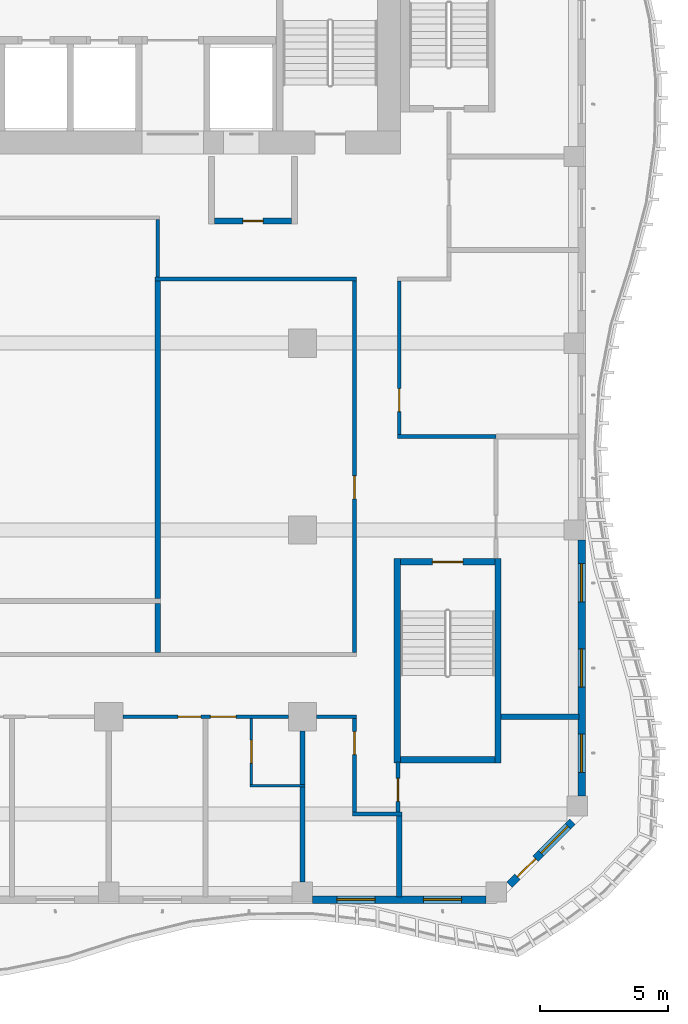
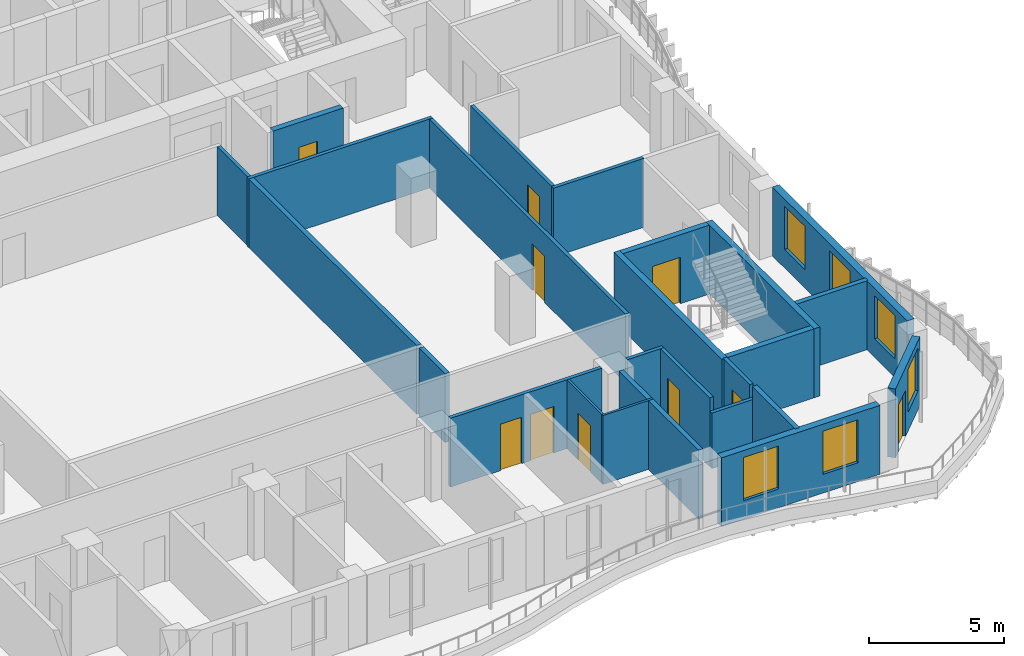
# One storey, part 5 of 23: 26 walls, 10 doors, 6 windows, 16 openings.
"""IFC4 building model written with IfcOpenShell, lengths in metres."""

from ifc_helpers import new_model, si_unit, direction, frame, frame_2d, origin, place, context, subcontext, project, spatial, rectangle, extrude, source, transform, mapped, material, layer, layer_set, type_object, element, fill, save


model = new_model("IFC4")

# Units and contexts
model_context = context("Model", 3, precision=1e-05, world=origin(), true_north=direction((0.0, 1.0)))
body_context = subcontext(model_context, "Body", "Model", "MODEL_VIEW")
ifc_project = project(units=[si_unit("LENGTHUNIT", "METRE"), si_unit("AREAUNIT", "SQUARE_METRE"), si_unit("VOLUMEUNIT", "CUBIC_METRE"), si_unit("PLANEANGLEUNIT", "RADIAN"), si_unit("MASSUNIT", "GRAM", prefix="KILO")], contexts=[model_context])

# Site, building, storey
site_placement = place(None, origin())
site = spatial("IfcSite", under=ifc_project, at=site_placement, CompositionType="ELEMENT")
building_placement = place(site_placement, origin())
building = spatial("IfcBuilding", under=site, at=building_placement, Name="Kilnfold Tower and Market Hall", CompositionType="ELEMENT")
storey_placement = place(building_placement, frame((0.0, 0.0, 150.699951171875)))
storey = spatial("IfcBuildingStorey", under=building, at=storey_placement, Name="L34", CompositionType="ELEMENT", Elevation=150.699951171875)

# Wall, openings, doors
ifc_material_1 = material(Name="Gypsum board on steel studs", Category="steel")
ifc_layer_1 = layer(ifc_material_1, 0.14990234375)
ifc_layer_set_1 = layer_set([ifc_layer_1], Name="Gypsum board on steel studs")
wall_type_1 = type_object("IfcWallType", Name="WALL CORRIDOR 150", PredefinedType="PARTITIONING", material=ifc_layer_set_1)
wall_1_placement = place(storey_placement, frame((7.133056640625, -13.93798828125, 0.0), z_axis=(0.0, 0.0, 1.0), x_axis=(1.0, 0.0, 0.0)))
wall_1 = element("IfcWall", 1, at=wall_1_placement, inside=storey, type_object=wall_type_1, Name="Partition LY22.5", PredefinedType="PARTITIONING", context=body_context, shape_type="SweptSolid", body=[
    extrude(rectangle(XDim=6.48388671875, YDim=0.14990234375, at=frame_2d((3.241943359375, 0.0))), origin(), (0.0, 0.0, 1.0), 3.1201171875),
])
opening_1_placement = place(wall_1_placement, frame((2.152099609375, 0.0, 0.0)))
opening_1 = element("IfcOpeningElement", 2, at=opening_1_placement, cuts=wall_1, Name="Opening D2", PredefinedType="OPENING", context=body_context, shape_type="SweptSolid", body=[
    extrude(rectangle(XDim=0.89990234375, YDim=2.10009765625, at=frame_2d((0.449951171875, 1.050048828125))), frame((0.0, 0.0849609375, 0.0), z_axis=(0.0, -1.0, 0.0), x_axis=(1.0, 0.0, 0.0)), (0.0, 0.0, 1.0), 0.169921875),
])
opening_2_placement = place(wall_1_placement, frame((3.431884765625, 0.0, 0.0)))
opening_2 = element("IfcOpeningElement", 3, at=opening_2_placement, cuts=wall_1, Name="Opening D1", PredefinedType="OPENING", context=body_context, shape_type="SweptSolid", body=[
    extrude(rectangle(XDim=1.0, YDim=2.10009765625, at=frame_2d((0.5, 1.050048828125))), frame((0.0, 0.0849609375, 0.0), z_axis=(0.0, -1.0, 0.0), x_axis=(1.0, 0.0, 0.0)), (0.0, 0.0, 1.0), 0.169921875),
])
ifc_material_2 = material(Name="Timber veneer door leaf in steel frame", Category="steel")
door_type_1 = type_object("IfcDoorType", Name="DOOR ENTRY 1000 X2100", OperationType="NOTDEFINED", PredefinedType="DOOR", material=ifc_material_2)
door_1_placement = place(opening_2_placement, origin())
door_1 = element("IfcDoor", 4, at=door_1_placement, inside=storey, type_object=door_type_1, Name="Door D1", OperationType="SINGLE_SWING_LEFT", OverallHeight=2.10009765625, OverallWidth=1.0, PredefinedType="DOOR", context=body_context, shape_type="SweptSolid", body=[
    extrude(rectangle(XDim=1.0, YDim=2.10009765625, at=frame_2d((0.5, 1.050048828125))), frame((0.0, 0.02490234375, 0.0), z_axis=(0.0, -1.0, 0.0), x_axis=(1.0, 0.0, 0.0)), (0.0, 0.0, 1.0), 0.050048828125),
])
fill(opening_2, door_1)
ifc_material_3 = material(Name="Timber veneer door leaf in steel frame", Category="steel")
door_type_2 = type_object("IfcDoorType", Name="DOOR ROOM 900 X2100", OperationType="NOTDEFINED", PredefinedType="DOOR", material=ifc_material_3)
door_2_placement = place(opening_1_placement, origin())
door_2 = element("IfcDoor", 5, at=door_2_placement, inside=storey, type_object=door_type_2, Name="Door D2", OperationType="SINGLE_SWING_RIGHT", OverallHeight=2.10009765625, OverallWidth=0.89990234375, PredefinedType="DOOR", context=body_context, shape_type="SweptSolid", body=[
    extrude(rectangle(XDim=0.89990234375, YDim=2.10009765625, at=frame_2d((0.449951171875, 1.050048828125))), frame((0.0, 0.02490234375, 0.0), z_axis=(0.0, -1.0, 0.0), x_axis=(1.0, 0.0, 0.0)), (0.0, 0.0, 1.0), 0.050048828125),
])
fill(opening_1, door_2)

# Wall
wall_2_placement = place(storey_placement, frame((16.125, -17.75, 0.0), z_axis=(0.0, 0.0, 1.0), x_axis=(1.0, 0.0, 0.0)))
element("IfcWall", 6, at=wall_2_placement, inside=storey, type_object=wall_type_1, Name="Partition LY22.6", PredefinedType="PARTITIONING", context=body_context, shape_type="SweptSolid", body=[
    extrude(rectangle(XDim=1.93408203125, YDim=0.14990234375, at=frame_2d((0.967041015625, 0.0))), origin(), (0.0, 0.0, 1.0), 2.52001953125),
])

# Wall, opening, door
wall_3_placement = place(storey_placement, frame((16.199951171875, -17.675048828125, 0.0), z_axis=(0.0, 0.0, 1.0), x_axis=(0.0, 1.0, 0.0)))
wall_3 = element("IfcWall", 7, at=wall_3_placement, inside=storey, type_object=wall_type_1, Name="Partition LY22.7", PredefinedType="PARTITIONING", context=body_context, shape_type="SweptSolid", body=[
    extrude(rectangle(XDim=3.662109375, YDim=0.14990234375, at=frame_2d((1.8310546875, 0.0))), origin(), (0.0, 0.0, 1.0), 3.1201171875),
])
opening_3_placement = place(wall_3_placement, frame((2.25390625, 0.0, 0.0)))
opening_3 = element("IfcOpeningElement", 8, at=opening_3_placement, cuts=wall_3, Name="Opening D2", PredefinedType="OPENING", context=body_context, shape_type="SweptSolid", body=[
    extrude(rectangle(XDim=0.89990234375, YDim=2.10009765625, at=frame_2d((0.449951171875, 1.050048828125))), frame((0.0, 0.0849609375, 0.0), z_axis=(0.0, -1.0, 0.0), x_axis=(1.0, 0.0, 0.0)), (0.0, 0.0, 1.0), 0.169921875),
])
door_3_placement = place(opening_3_placement, origin())
door_3 = element("IfcDoor", 9, at=door_3_placement, inside=storey, type_object=door_type_2, Name="Door D2", OperationType="SINGLE_SWING_RIGHT", OverallHeight=2.10009765625, OverallWidth=0.89990234375, PredefinedType="DOOR", context=body_context, shape_type="SweptSolid", body=[
    extrude(rectangle(XDim=0.89990234375, YDim=2.10009765625, at=frame_2d((0.449951171875, 1.050048828125))), frame((0.0, 0.02490234375, 0.0), z_axis=(0.0, -1.0, 0.0), x_axis=(1.0, 0.0, 0.0)), (0.0, 0.0, 1.0), 0.050048828125),
])
fill(opening_3, door_3)

# Wall
wall_4_placement = place(storey_placement, frame((14.717041015625, -13.93798828125, 0.0), z_axis=(0.0, 0.0, 1.0), x_axis=(1.0, 0.0, 0.0)))
element("IfcWall", 10, at=wall_4_placement, inside=storey, type_object=wall_type_1, Name="Partition LY22.8", PredefinedType="PARTITIONING", context=body_context, shape_type="SweptSolid", body=[
    extrude(rectangle(XDim=1.557861328125, YDim=0.14990234375, at=frame_2d((0.77880859375, 0.0))), origin(), (0.0, 0.0, 1.0), 3.1201171875),
])

# Wall, opening, door
wall_5_placement = place(storey_placement, frame((17.908935546875, -17.675048828125, 0.0), z_axis=(0.0, 0.0, 1.0), x_axis=(0.0, 1.0, 0.0)))
wall_5 = element("IfcWall", 11, at=wall_5_placement, inside=storey, type_object=wall_type_1, Name="Partition LY22.9", PredefinedType="PARTITIONING", context=body_context, shape_type="SweptSolid", body=[
    extrude(rectangle(XDim=1.97509765625, YDim=0.14990234375, at=frame_2d((0.987548828125, 0.0))), origin(), (0.0, 0.0, 1.0), 3.1201171875),
])
opening_4_placement = place(wall_5_placement, frame((0.425048828125, 0.0, 0.0)))
opening_4 = element("IfcOpeningElement", 12, at=opening_4_placement, cuts=wall_5, Name="Opening D2", PredefinedType="OPENING", context=body_context, shape_type="SweptSolid", body=[
    extrude(rectangle(XDim=0.89990234375, YDim=2.10009765625, at=frame_2d((0.449951171875, 1.050048828125))), frame((0.0, 0.0849609375, 0.0), z_axis=(0.0, -1.0, 0.0), x_axis=(1.0, 0.0, 0.0)), (0.0, 0.0, 1.0), 0.169921875),
])
door_4_placement = place(opening_4_placement, origin())
door_4 = element("IfcDoor", 13, at=door_4_placement, inside=storey, type_object=door_type_2, Name="Door D2", OperationType="SINGLE_SWING_LEFT", OverallHeight=2.10009765625, OverallWidth=0.89990234375, PredefinedType="DOOR", context=body_context, shape_type="SweptSolid", body=[
    extrude(rectangle(XDim=0.89990234375, YDim=2.10009765625, at=frame_2d((0.449951171875, 1.050048828125))), frame((0.0, 0.02490234375, 0.0), z_axis=(0.0, -1.0, 0.0), x_axis=(1.0, 0.0, 0.0)), (0.0, 0.0, 1.0), 0.050048828125),
])
fill(opening_4, door_4)

wall_6_placement = place(storey_placement, frame((17.958984375, -2.89404296875, 0.0), z_axis=(0.0, 0.0, 1.0), x_axis=(0.0, 1.0, 0.0)))
wall_6 = element("IfcWall", 14, at=wall_6_placement, inside=storey, type_object=wall_type_1, Name="Partition LY22.33", PredefinedType="PARTITIONING", context=body_context, shape_type="SweptSolid", body=[
    extrude(rectangle(XDim=6.01904296875, YDim=0.14990234375, at=frame_2d((3.009521484375, 0.0))), origin(), (0.0, 0.0, 1.0), 3.1201171875),
])
opening_5_placement = place(wall_6_placement, frame((0.903076171875, 0.0, 0.0)))
opening_5 = element("IfcOpeningElement", 15, at=opening_5_placement, cuts=wall_6, Name="Opening D2", PredefinedType="OPENING", context=body_context, shape_type="SweptSolid", body=[
    extrude(rectangle(XDim=0.89990234375, YDim=2.10009765625, at=frame_2d((0.449951171875, 1.050048828125))), frame((0.0, 0.0849609375, 0.0), z_axis=(0.0, -1.0, 0.0), x_axis=(1.0, 0.0, 0.0)), (0.0, 0.0, 1.0), 0.169921875),
])
door_5_placement = place(opening_5_placement, origin())
door_5 = element("IfcDoor", 16, at=door_5_placement, inside=storey, type_object=door_type_2, Name="Door D2", OperationType="SINGLE_SWING_RIGHT", OverallHeight=2.10009765625, OverallWidth=0.89990234375, PredefinedType="DOOR", context=body_context, shape_type="SweptSolid", body=[
    extrude(rectangle(XDim=0.89990234375, YDim=2.10009765625, at=frame_2d((0.449951171875, 1.050048828125))), frame((0.0, 0.02490234375, 0.0), z_axis=(0.0, -1.0, 0.0), x_axis=(1.0, 0.0, 0.0)), (0.0, 0.0, 1.0), 0.050048828125),
])
fill(opening_5, door_5)

# Wall
wall_7_placement = place(storey_placement, frame((21.7509765625, -2.968994140625, 0.0), z_axis=(0.0, 0.0, 1.0), x_axis=(-1.0, 0.0, 0.0)))
element("IfcWall", 17, at=wall_7_placement, inside=storey, type_object=wall_type_1, Name="Partition LY22.34", PredefinedType="PARTITIONING", context=body_context, shape_type="SweptSolid", body=[
    extrude(rectangle(XDim=3.866943359375, YDim=0.14990234375, at=frame_2d((1.93359375, 0.0))), origin(), (0.0, 0.0, 1.0), 3.1201171875),
])

# Wall, opening, door
wall_8_placement = place(storey_placement, frame((16.199951171875, -11.425048828125, 0.0), z_axis=(0.0, 0.0, 1.0), x_axis=(0.0, 1.0, 0.0)))
wall_8 = element("IfcWall", 18, at=wall_8_placement, inside=storey, type_object=wall_type_1, Name="Partition LY22.43", PredefinedType="PARTITIONING", context=body_context, shape_type="SweptSolid", body=[
    extrude(rectangle(XDim=14.550048828125, YDim=0.14990234375, at=frame_2d((7.27490234375, 0.0))), origin(), (0.0, 0.0, 1.0), 3.1201171875),
])
opening_6_placement = place(wall_8_placement, frame((6.02197265625, 0.0, 0.0)))
opening_6 = element("IfcOpeningElement", 19, at=opening_6_placement, cuts=wall_8, Name="Opening D2", PredefinedType="OPENING", context=body_context, shape_type="SweptSolid", body=[
    extrude(rectangle(XDim=0.89990234375, YDim=2.10009765625, at=frame_2d((0.449951171875, 1.050048828125))), frame((0.0, 0.0849609375, 0.0), z_axis=(0.0, -1.0, 0.0), x_axis=(1.0, 0.0, 0.0)), (0.0, 0.0, 1.0), 0.169921875),
])
door_6_placement = place(opening_6_placement, origin())
door_6 = element("IfcDoor", 20, at=door_6_placement, inside=storey, type_object=door_type_2, Name="Door D2", OperationType="SINGLE_SWING_LEFT", OverallHeight=2.10009765625, OverallWidth=0.89990234375, PredefinedType="DOOR", context=body_context, shape_type="SweptSolid", body=[
    extrude(rectangle(XDim=0.89990234375, YDim=2.10009765625, at=frame_2d((0.449951171875, 1.050048828125))), frame((0.0, 0.02490234375, 0.0), z_axis=(0.0, -1.0, 0.0), x_axis=(1.0, 0.0, 0.0)), (0.0, 0.0, 1.0), 0.050048828125),
])
fill(opening_6, door_6)

# Walls
wall_9_placement = place(storey_placement, frame((8.39990234375, 3.199951171875, 0.0), z_axis=(0.0, 0.0, 1.0), x_axis=(1.0, 0.0, 0.0)))
element("IfcWall", 21, at=wall_9_placement, inside=storey, type_object=wall_type_1, Name="Partition LY22.44", PredefinedType="PARTITIONING", context=body_context, shape_type="SweptSolid", body=[
    extrude(rectangle(XDim=7.875, YDim=0.14990234375, at=frame_2d((3.9375, 0.0))), origin(), (0.0, 0.0, 1.0), 3.1201171875),
])
wall_10_placement = place(storey_placement, frame((8.5, 5.52490234375, 0.0), z_axis=(0.0, 0.0, 1.0), x_axis=(0.0, -1.0, 0.0)))
element("IfcWall", 22, at=wall_10_placement, inside=storey, type_object=wall_type_1, Name="Partition LY22.46", PredefinedType="PARTITIONING", context=body_context, shape_type="SweptSolid", body=[
    extrude(rectangle(XDim=2.25, YDim=0.14990234375, at=frame_2d((1.125, 0.0))), origin(), (0.0, 0.0, 1.0), 3.1201171875),
])

# Wall, opening, door
ifc_material_4 = material(Name="Gypsum board on steel studs", Category="steel")
ifc_layer_2 = layer(ifc_material_4, 0.10009765625)
ifc_layer_set_2 = layer_set([ifc_layer_2], Name="Gypsum board on steel studs")
wall_type_2 = type_object("IfcWallType", Name="WALL PARTITION 100", PredefinedType="PARTITIONING", material=ifc_layer_set_2)
wall_11_placement = place(storey_placement, frame((12.1669921875, -16.590087890625, 0.0), z_axis=(0.0, 0.0, 1.0), x_axis=(0.0, 1.0, 0.0)))
wall_11 = element("IfcWall", 23, at=wall_11_placement, inside=storey, type_object=wall_type_2, Name="Partition LY22.62", PredefinedType="PARTITIONING", context=body_context, shape_type="SweptSolid", body=[
    extrude(rectangle(XDim=2.5751953125, YDim=0.10009765625, at=frame_2d((1.28759765625, 0.0))), origin(), (0.0, 0.0, 1.0), 3.1201171875),
])
opening_7_placement = place(wall_11_placement, frame((0.8369140625, 0.0, 0.0)))
opening_7 = element("IfcOpeningElement", 24, at=opening_7_placement, cuts=wall_11, Name="Opening D3", PredefinedType="OPENING", context=body_context, shape_type="SweptSolid", body=[
    extrude(rectangle(XDim=0.89990234375, YDim=2.10009765625, at=frame_2d((0.449951171875, 1.050048828125))), frame((0.0, 0.06005859375, 0.0), z_axis=(0.0, -1.0, 0.0), x_axis=(1.0, 0.0, 0.0)), (0.0, 0.0, 1.0), 0.1201171875),
])
ifc_material_5 = material(Name="Timber veneer door leaf in steel frame", Category="steel")
door_type_3 = type_object("IfcDoorType", Name="DOOR WC 900 X2100", OperationType="NOTDEFINED", PredefinedType="DOOR", material=ifc_material_5)
door_7_placement = place(opening_7_placement, origin())
door_7 = element("IfcDoor", 25, at=door_7_placement, inside=storey, type_object=door_type_3, Name="Door D3", OperationType="SINGLE_SWING_LEFT", OverallHeight=2.10009765625, OverallWidth=0.89990234375, PredefinedType="DOOR", context=body_context, shape_type="SweptSolid", body=[
    extrude(rectangle(XDim=0.89990234375, YDim=2.10009765625, at=frame_2d((0.449951171875, 1.050048828125))), frame((0.0, 0.02490234375, 0.0), z_axis=(0.0, -1.0, 0.0), x_axis=(1.0, 0.0, 0.0)), (0.0, 0.0, 1.0), 0.050048828125),
])
fill(opening_7, door_7)

# Walls
wall_12_placement = place(storey_placement, frame((12.116943359375, -16.639892578125, 0.0), z_axis=(0.0, 0.0, 1.0), x_axis=(1.0, 0.0, 0.0)))
element("IfcWall", 26, at=wall_12_placement, inside=storey, type_object=wall_type_2, Name="Partition LY22.63", PredefinedType="PARTITIONING", context=body_context, shape_type="SweptSolid", body=[
    extrude(rectangle(XDim=2.150146484375, YDim=0.10009765625, at=frame_2d((1.0751953125, 0.0))), origin(), (0.0, 0.0, 1.0), 3.1201171875),
])
ifc_material_6 = material(Name="Gypsum board on steel studs", Category="steel")
ifc_layer_3 = layer(ifc_material_6, 0.199951171875)
ifc_layer_set_3 = layer_set([ifc_layer_3], Name="Gypsum board on steel studs")
wall_type_3 = type_object("IfcWallType", Name="WALL PARTY 200", PredefinedType="PARTITIONING", material=ifc_layer_set_3)
wall_13_placement = place(storey_placement, frame((14.1669921875, -20.39990234375, 0.0), z_axis=(0.0, 0.0, 1.0), x_axis=(0.0, 1.0, 0.0)))
element("IfcWall", 27, at=wall_13_placement, inside=storey, type_object=wall_type_3, Name="Partition LY22.64", PredefinedType="PARTITIONING", context=body_context, shape_type="SweptSolid", body=[
    extrude(rectangle(XDim=3.7099609375, YDim=0.199951171875, at=frame_2d((1.85498046875, 0.0))), origin(), (0.0, 0.0, 1.0), 3.1201171875),
])
wall_14_placement = place(storey_placement, frame((14.1669921875, -16.590087890625, 0.0), z_axis=(0.0, 0.0, 1.0), x_axis=(0.0, 1.0, 0.0)))
element("IfcWall", 28, at=wall_14_placement, inside=storey, type_object=wall_type_3, Name="Partition LY22.65", PredefinedType="PARTITIONING", context=body_context, shape_type="SweptSolid", body=[
    extrude(rectangle(XDim=2.10205078125, YDim=0.199951171875, at=frame_2d((1.051025390625, 0.0))), origin(), (0.0, 0.0, 1.0), 3.1201171875),
])
wall_15_placement = place(storey_placement, frame((17.958984375, -21.0, 0.0), z_axis=(0.0, 0.0, 1.0), x_axis=(0.0, 1.0, 0.0)))
element("IfcWall", 29, at=wall_15_placement, inside=storey, type_object=wall_type_3, Name="Partition LY22.66", PredefinedType="PARTITIONING", context=body_context, shape_type="SweptSolid", body=[
    extrude(rectangle(XDim=3.173095703125, YDim=0.199951171875, at=frame_2d((1.58642578125, 0.0))), origin(), (0.0, 0.0, 1.0), 3.1201171875),
])
wall_16_placement = place(storey_placement, frame((25.0, -13.93798828125, 0.0), z_axis=(0.0, 0.0, 1.0), x_axis=(-1.0, 0.0, 0.0)))
element("IfcWall", 30, at=wall_16_placement, inside=storey, type_object=wall_type_3, Name="Partition LY22.67", PredefinedType="PARTITIONING", context=body_context, shape_type="SweptSolid", body=[
    extrude(rectangle(XDim=3.050048828125, YDim=0.199951171875, at=frame_2d((1.52490234375, 0.0))), origin(), (0.0, 0.0, 1.0), 3.1201171875),
])
wall_17_placement = place(storey_placement, frame((8.5, -11.423095703125, 0.0), z_axis=(0.0, 0.0, 1.0), x_axis=(0.0, 1.0, 0.0)))
element("IfcWall", 31, at=wall_17_placement, inside=storey, type_object=wall_type_3, Name="Partition LY22.131", PredefinedType="PARTITIONING", context=body_context, shape_type="SweptSolid", body=[
    extrude(rectangle(XDim=1.923095703125, YDim=0.199951171875, at=frame_2d((0.96142578125, 0.0))), origin(), (0.0, 0.0, 1.0), 3.1201171875),
])
wall_18_placement = place(storey_placement, frame((8.5, -9.31005859375, 0.0), z_axis=(0.0, 0.0, 1.0), x_axis=(0.0, 1.0, 0.0)))
element("IfcWall", 32, at=wall_18_placement, inside=storey, type_object=wall_type_3, Name="Partition LY22.133", PredefinedType="PARTITIONING", context=body_context, shape_type="SweptSolid", body=[
    extrude(rectangle(XDim=12.43310546875, YDim=0.199951171875, at=frame_2d((6.216552734375, 0.0))), origin(), (0.0, 0.0, 1.0), 3.1201171875),
])
ifc_material_7 = material(Name="Concrete C70", Category="concrete")
ifc_layer_4 = layer(ifc_material_7, 0.25)
ifc_layer_set_4 = layer_set([ifc_layer_4], Name="Concrete C70")
wall_type_4 = type_object("IfcWallType", Name="CORE WALL 250 C70", PredefinedType="SHEAR", material=ifc_layer_set_4)
shared_shape_1 = source(origin(), body_context, "Body", "SweptSolid", [
    extrude(rectangle(XDim=3.699951171875, YDim=0.25, at=frame_2d((1.85009765625, 0.0))), origin(), (0.0, 0.0, 1.0), 3.1201171875),
])
wall_19_placement = place(storey_placement, frame((18.0, -15.625, 0.0), z_axis=(0.0, 0.0, 1.0), x_axis=(1.0, 0.0, 0.0)))
element("IfcWall", 33, at=wall_19_placement, inside=storey, type_object=wall_type_4, Name="Stair enclosure ST4", PredefinedType="SHEAR", context=body_context, shape_type="MappedRepresentation", body=[
    mapped(shared_shape_1, transform((0.0, 0.0, 0.0))),
])

# Wall, opening, door
wall_20_placement = place(storey_placement, frame((18.0, -7.875, 0.0), z_axis=(0.0, 0.0, 1.0), x_axis=(1.0, 0.0, 0.0)))
wall_20 = element("IfcWall", 34, at=wall_20_placement, inside=storey, type_object=wall_type_4, Name="Stair enclosure ST4", PredefinedType="SHEAR", context=body_context, shape_type="MappedRepresentation", body=[
    mapped(shared_shape_1, transform((0.0, 0.0, 0.0))),
])
opening_8_placement = place(wall_20_placement, frame((1.25, 0.0, 0.0)))
opening_8 = element("IfcOpeningElement", 35, at=opening_8_placement, cuts=wall_20, Name="Opening SD1", PredefinedType="OPENING", context=body_context, shape_type="SweptSolid", body=[
    extrude(rectangle(XDim=1.199951171875, YDim=2.10009765625, at=frame_2d((0.60009765625, 1.050048828125))), frame((0.0, 0.135009765625, 0.0), z_axis=(0.0, -1.0, 0.0), x_axis=(1.0, 0.0, 0.0)), (0.0, 0.0, 1.0), 0.27001953125),
])
ifc_material_8 = material(Name="Steel door set with fire-resisting leaf", Category="steel")
door_type_4 = type_object("IfcDoorType", Name="STAIR FLOOR DOOR 1200X2100", OperationType="NOTDEFINED", PredefinedType="DOOR", material=ifc_material_8)
door_8_placement = place(opening_8_placement, origin())
door_8 = element("IfcDoor", 36, at=door_8_placement, inside=storey, type_object=door_type_4, Name="Exit stair ST4 door", OperationType="DOUBLE_DOOR_SINGLE_SWING", OverallHeight=2.10009765625, OverallWidth=1.199951171875, PredefinedType="DOOR", context=body_context, shape_type="SweptSolid", body=[
    extrude(rectangle(XDim=1.199951171875, YDim=2.10009765625, at=frame_2d((0.60009765625, 1.050048828125))), frame((0.0, 0.02490234375, 0.0), z_axis=(0.0, -1.0, 0.0), x_axis=(1.0, 0.0, 0.0)), (0.0, 0.0, 1.0), 0.050048828125),
])
fill(opening_8, door_8)

# Walls
shared_shape_2 = source(origin(), body_context, "Body", "SweptSolid", [
    extrude(rectangle(XDim=8.0, YDim=0.25, at=frame_2d((4.0, 0.0))), origin(), (0.0, 0.0, 1.0), 3.1201171875),
])
for number, where, z_axis, x_axis, name in (
    (37, (17.875, -15.75, 0.0), (0.0, 0.0, 1.0), (0.0, 1.0, 0.0), "Stair enclosure ST4"),
    (38, (21.824951171875, -15.75, 0.0), (0.0, 0.0, 1.0), (0.0, 1.0, 0.0), "Stair enclosure ST4"),
):
    element("IfcWall", number, at=place(storey_placement, frame(where, z_axis=z_axis, x_axis=x_axis)), inside=storey, type_object=wall_type_4, Name=name, PredefinedType="SHEAR", context=body_context, shape_type="MappedRepresentation", body=[
        mapped(shared_shape_2, transform((0.0, 0.0, 0.0))),
    ])

# Wall, openings, windows
ifc_material_9 = material(Name="Precast concrete C50/60", Category="concrete")
ifc_layer_5 = layer(ifc_material_9, 0.300048828125)
ifc_layer_set_5 = layer_set([ifc_layer_5], Name="Precast concrete C50/60")
wall_type_5 = type_object("IfcWallType", Name="PRECAST WALL 300", PredefinedType="SOLIDWALL", material=ifc_layer_set_5)
shared_shape_3 = source(origin(), body_context, "Body", "SweptSolid", [
    extrude(rectangle(XDim=6.783447265625, YDim=0.300048828125, at=frame_2d((3.3916015625, 0.0))), origin(), (0.0, 0.0, 1.0), 3.1201171875),
])
wall_21_placement = place(storey_placement, frame((14.566650390625, -21.10009765625, 0.0), z_axis=(0.0, 0.0, 1.0), x_axis=(1.0, 0.0, 0.0)))
wall_21 = element("IfcWall", 39, at=wall_21_placement, inside=storey, type_object=wall_type_5, Name="External wall L34 S", PredefinedType="SOLIDWALL", context=body_context, shape_type="MappedRepresentation", body=[
    mapped(shared_shape_3, transform((0.0, 0.0, 0.0))),
])
opening_9_placement = place(wall_21_placement, frame((0.94580078125, 0.0, 0.85009765625)))
opening_9 = element("IfcOpeningElement", 40, at=opening_9_placement, cuts=wall_21, Name="Opening W4", PredefinedType="OPENING", context=body_context, shape_type="SweptSolid", body=[
    extrude(rectangle(XDim=1.5, YDim=1.949951171875, at=frame_2d((0.75, 0.97509765625))), frame((0.0, 0.16015625, 0.0), z_axis=(0.0, -1.0, 0.0), x_axis=(1.0, 0.0, 0.0)), (0.0, 0.0, 1.0), 0.320068359375),
])
opening_10_placement = place(wall_21_placement, frame((4.33740234375, 0.0, 0.85009765625)))
opening_10 = element("IfcOpeningElement", 41, at=opening_10_placement, cuts=wall_21, Name="Opening W4", PredefinedType="OPENING", context=body_context, shape_type="SweptSolid", body=[
    extrude(rectangle(XDim=1.5, YDim=1.949951171875, at=frame_2d((0.75, 0.97509765625))), frame((0.0, 0.16015625, 0.0), z_axis=(0.0, -1.0, 0.0), x_axis=(1.0, 0.0, 0.0)), (0.0, 0.0, 1.0), 0.320068359375),
])
ifc_material_10 = material(Name="Aluminium frame and double glazing", Category="aluminium")
window_type = type_object("IfcWindowType", Name="WINDOW W4 1500X1950", PartitioningType="SINGLE_PANEL", PredefinedType="WINDOW", material=ifc_material_10)
window_1_placement = place(opening_9_placement, origin())
window_1 = element("IfcWindow", 42, at=window_1_placement, inside=storey, type_object=window_type, Name="Window W4 L34 S-1", OverallHeight=1.949951171875, OverallWidth=1.5, PartitioningType="SINGLE_PANEL", PredefinedType="WINDOW", context=body_context, shape_type="SweptSolid", body=[
    extrude(rectangle(XDim=1.5, YDim=1.949951171875, at=frame_2d((0.75, 0.97509765625))), frame((0.0, 0.030029296875, 0.0), z_axis=(0.0, -1.0, 0.0), x_axis=(1.0, 0.0, 0.0)), (0.0, 0.0, 1.0), 0.06005859375),
])
fill(opening_9, window_1)
window_2_placement = place(opening_10_placement, origin())
window_2 = element("IfcWindow", 43, at=window_2_placement, inside=storey, type_object=window_type, Name="Window W4 L34 S-2", OverallHeight=1.949951171875, OverallWidth=1.5, PartitioningType="SINGLE_PANEL", PredefinedType="WINDOW", context=body_context, shape_type="SweptSolid", body=[
    extrude(rectangle(XDim=1.5, YDim=1.949951171875, at=frame_2d((0.75, 0.97509765625))), frame((0.0, 0.030029296875, 0.0), z_axis=(0.0, -1.0, 0.0), x_axis=(1.0, 0.0, 0.0)), (0.0, 0.0, 1.0), 0.06005859375),
])
fill(opening_10, window_2)

# Wall, openings, door, window
shared_shape_4 = source(origin(), body_context, "Body", "SweptSolid", [
    extrude(rectangle(XDim=3.500244140625, YDim=0.300048828125, at=frame_2d((1.75, 0.0))), origin(), (0.0, 0.0, 1.0), 3.1201171875),
])
wall_22_placement = place(storey_placement, frame((22.268798828125, -20.518798828125, 0.0), z_axis=(0.0, 0.0, 1.0), x_axis=(0.707141656123, 0.70707190453, 0.0)))
wall_22 = element("IfcWall", 44, at=wall_22_placement, inside=storey, type_object=wall_type_5, Name="External wall L34 SE", PredefinedType="SOLIDWALL", context=body_context, shape_type="MappedRepresentation", body=[
    mapped(shared_shape_4, transform((0.0, 0.0, 0.0))),
])
opening_11_placement = place(wall_22_placement, frame((1.75, 0.0, 0.85009765625)))
opening_11 = element("IfcOpeningElement", 45, at=opening_11_placement, cuts=wall_22, Name="Opening W4", PredefinedType="OPENING", context=body_context, shape_type="SweptSolid", body=[
    extrude(rectangle(XDim=1.5, YDim=1.949951171875, at=frame_2d((0.75, 0.97509765625))), frame((0.0, 0.16015625, 0.0), z_axis=(0.0, -1.0, 0.0), x_axis=(1.0, 0.0, 0.0)), (0.0, 0.0, 1.0), 0.320068359375),
])
opening_12_placement = place(wall_22_placement, frame((0.449951171875, 0.0, 0.0)))
opening_12 = element("IfcOpeningElement", 46, at=opening_12_placement, cuts=wall_22, Name="Opening BD1", PredefinedType="OPENING", context=body_context, shape_type="SweptSolid", body=[
    extrude(rectangle(XDim=1.0, YDim=2.10009765625, at=frame_2d((0.5, 1.050048828125))), frame((0.0, 0.16015625, 0.0), z_axis=(0.0, -1.0, 0.0), x_axis=(1.0, 0.0, 0.0)), (0.0, 0.0, 1.0), 0.320068359375),
])
ifc_material_11 = material(Name="Aluminium frame and double glazing", Category="aluminium")
door_type_5 = type_object("IfcDoorType", Name="BALCONY DOOR 1000X2100", OperationType="NOTDEFINED", PredefinedType="DOOR", material=ifc_material_11)
door_9_placement = place(opening_12_placement, origin())
door_9 = element("IfcDoor", 47, at=door_9_placement, inside=storey, type_object=door_type_5, Name="Balcony door BD1 L34 SE-1", OperationType="SINGLE_SWING_LEFT", OverallHeight=2.10009765625, OverallWidth=1.0, PredefinedType="DOOR", context=body_context, shape_type="SweptSolid", body=[
    extrude(rectangle(XDim=1.0, YDim=2.10009765625, at=frame_2d((0.5, 1.050048828125))), frame((0.0, 0.02490234375, 0.0), z_axis=(0.0, -1.0, 0.0), x_axis=(1.0, 0.0, 0.0)), (0.0, 0.0, 1.0), 0.050048828125),
])
fill(opening_12, door_9)
window_3_placement = place(opening_11_placement, origin())
window_3 = element("IfcWindow", 48, at=window_3_placement, inside=storey, type_object=window_type, Name="Window W4 L34 SE-1", OverallHeight=1.949951171875, OverallWidth=1.5, PartitioningType="SINGLE_PANEL", PredefinedType="WINDOW", context=body_context, shape_type="SweptSolid", body=[
    extrude(rectangle(XDim=1.5, YDim=1.949951171875, at=frame_2d((0.75, 0.97509765625))), frame((0.0, 0.030029296875, 0.0), z_axis=(0.0, -1.0, 0.0), x_axis=(1.0, 0.0, 0.0)), (0.0, 0.0, 1.0), 0.06005859375),
])
fill(opening_11, window_3)

# Wall, openings, windows
shared_shape_5 = source(origin(), body_context, "Body", "SweptSolid", [
    extrude(rectangle(XDim=10.0068359375, YDim=0.300048828125, at=frame_2d((5.00341796875, 0.0))), origin(), (0.0, 0.0, 1.0), 3.1201171875),
])
wall_23_placement = place(storey_placement, frame((25.10009765625, -17.03173828125, 0.0), z_axis=(0.0, 0.0, 1.0), x_axis=(0.0, 1.0, 0.0)))
wall_23 = element("IfcWall", 49, at=wall_23_placement, inside=storey, type_object=wall_type_5, Name="External wall L34 E", PredefinedType="SOLIDWALL", context=body_context, shape_type="MappedRepresentation", body=[
    mapped(shared_shape_5, transform((0.0, 0.0, 0.0))),
])
opening_13_placement = place(wall_23_placement, frame((0.917724609375, 0.0, 0.85009765625)))
opening_13 = element("IfcOpeningElement", 50, at=opening_13_placement, cuts=wall_23, Name="Opening W4", PredefinedType="OPENING", context=body_context, shape_type="SweptSolid", body=[
    extrude(rectangle(XDim=1.5, YDim=1.949951171875, at=frame_2d((0.75, 0.97509765625))), frame((0.0, 0.16015625, 0.0), z_axis=(0.0, -1.0, 0.0), x_axis=(1.0, 0.0, 0.0)), (0.0, 0.0, 1.0), 0.320068359375),
])
opening_14_placement = place(wall_23_placement, frame((4.25341796875, 0.0, 0.85009765625)))
opening_14 = element("IfcOpeningElement", 51, at=opening_14_placement, cuts=wall_23, Name="Opening W4", PredefinedType="OPENING", context=body_context, shape_type="SweptSolid", body=[
    extrude(rectangle(XDim=1.5, YDim=1.949951171875, at=frame_2d((0.75, 0.97509765625))), frame((0.0, 0.16015625, 0.0), z_axis=(0.0, -1.0, 0.0), x_axis=(1.0, 0.0, 0.0)), (0.0, 0.0, 1.0), 0.320068359375),
])
opening_15_placement = place(wall_23_placement, frame((7.589111328125, 0.0, 0.85009765625)))
opening_15 = element("IfcOpeningElement", 52, at=opening_15_placement, cuts=wall_23, Name="Opening W4", PredefinedType="OPENING", context=body_context, shape_type="SweptSolid", body=[
    extrude(rectangle(XDim=1.5, YDim=1.949951171875, at=frame_2d((0.75, 0.97509765625))), frame((0.0, 0.16015625, 0.0), z_axis=(0.0, -1.0, 0.0), x_axis=(1.0, 0.0, 0.0)), (0.0, 0.0, 1.0), 0.320068359375),
])
window_4_placement = place(opening_13_placement, origin())
window_4 = element("IfcWindow", 53, at=window_4_placement, inside=storey, type_object=window_type, Name="Window W4 L34 E-1", OverallHeight=1.949951171875, OverallWidth=1.5, PartitioningType="SINGLE_PANEL", PredefinedType="WINDOW", context=body_context, shape_type="SweptSolid", body=[
    extrude(rectangle(XDim=1.5, YDim=1.949951171875, at=frame_2d((0.75, 0.97509765625))), frame((0.0, 0.030029296875, 0.0), z_axis=(0.0, -1.0, 0.0), x_axis=(1.0, 0.0, 0.0)), (0.0, 0.0, 1.0), 0.06005859375),
])
fill(opening_13, window_4)
window_5_placement = place(opening_14_placement, origin())
window_5 = element("IfcWindow", 54, at=window_5_placement, inside=storey, type_object=window_type, Name="Window W4 L34 E-2", OverallHeight=1.949951171875, OverallWidth=1.5, PartitioningType="SINGLE_PANEL", PredefinedType="WINDOW", context=body_context, shape_type="SweptSolid", body=[
    extrude(rectangle(XDim=1.5, YDim=1.949951171875, at=frame_2d((0.75, 0.97509765625))), frame((0.0, 0.030029296875, 0.0), z_axis=(0.0, -1.0, 0.0), x_axis=(1.0, 0.0, 0.0)), (0.0, 0.0, 1.0), 0.06005859375),
])
fill(opening_14, window_5)
window_6_placement = place(opening_15_placement, origin())
window_6 = element("IfcWindow", 55, at=window_6_placement, inside=storey, type_object=window_type, Name="Window W4 L34 E-3", OverallHeight=1.949951171875, OverallWidth=1.5, PartitioningType="SINGLE_PANEL", PredefinedType="WINDOW", context=body_context, shape_type="SweptSolid", body=[
    extrude(rectangle(XDim=1.5, YDim=1.949951171875, at=frame_2d((0.75, 0.97509765625))), frame((0.0, 0.030029296875, 0.0), z_axis=(0.0, -1.0, 0.0), x_axis=(1.0, 0.0, 0.0)), (0.0, 0.0, 1.0), 0.06005859375),
])
fill(opening_15, window_6)

# Wall, opening, door
ifc_material_12 = material(Name="Gypsum shaft wall system")
ifc_layer_6 = layer(ifc_material_12, 0.25)
ifc_layer_set_6 = layer_set([ifc_layer_6], Name="Gypsum shaft wall system")
wall_type_6 = type_object("IfcWallType", Name="LOBBY WALL 250", PredefinedType="PARTITIONING", material=ifc_layer_set_6)
shared_shape_6 = source(origin(), body_context, "Body", "SweptSolid", [
    extrude(rectangle(XDim=3.0, YDim=0.25, at=frame_2d((1.5, 0.0))), origin(), (0.0, 0.0, 1.0), 3.1201171875),
])
wall_24_placement = place(storey_placement, frame((10.72998046875, 5.47509765625, 0.0), z_axis=(0.0, 0.0, 1.0), x_axis=(1.0, 0.0, 0.0)))
wall_24 = element("IfcWall", 56, at=wall_24_placement, inside=storey, type_object=wall_type_6, Name="Firefighting lobby wall", PredefinedType="PARTITIONING", context=body_context, shape_type="MappedRepresentation", body=[
    mapped(shared_shape_6, transform((0.0, 0.0, 0.0))),
])
opening_16_placement = place(wall_24_placement, frame((1.10009765625, 0.0, 0.0)))
opening_16 = element("IfcOpeningElement", 57, at=opening_16_placement, cuts=wall_24, Name="Opening VD1", PredefinedType="OPENING", context=body_context, shape_type="SweptSolid", body=[
    extrude(rectangle(XDim=0.800048828125, YDim=2.0, at=frame_2d((0.39990234375, 1.0))), frame((0.0, 0.135009765625, 0.0), z_axis=(0.0, -1.0, 0.0), x_axis=(1.0, 0.0, 0.0)), (0.0, 0.0, 1.0), 0.27001953125),
])
ifc_material_13 = material(Name="Steel door set with fire-resisting leaf", Category="steel")
door_type_6 = type_object("IfcDoorType", Name="FIREFIGHTING LOBBY DOOR 800X2000", OperationType="NOTDEFINED", PredefinedType="DOOR", material=ifc_material_13)
door_10_placement = place(opening_16_placement, origin())
door_10 = element("IfcDoor", 58, at=door_10_placement, inside=storey, type_object=door_type_6, Name="Firefighting lobby door", OperationType="SINGLE_SWING_RIGHT", OverallHeight=2.0, OverallWidth=0.800048828125, PredefinedType="DOOR", context=body_context, shape_type="SweptSolid", body=[
    extrude(rectangle(XDim=0.800048828125, YDim=2.0, at=frame_2d((0.39990234375, 1.0))), frame((0.0, 0.02490234375, 0.0), z_axis=(0.0, -1.0, 0.0), x_axis=(1.0, 0.0, 0.0)), (0.0, 0.0, 1.0), 0.050048828125),
])
fill(opening_16, door_10)

save(model, "model.ifc")
